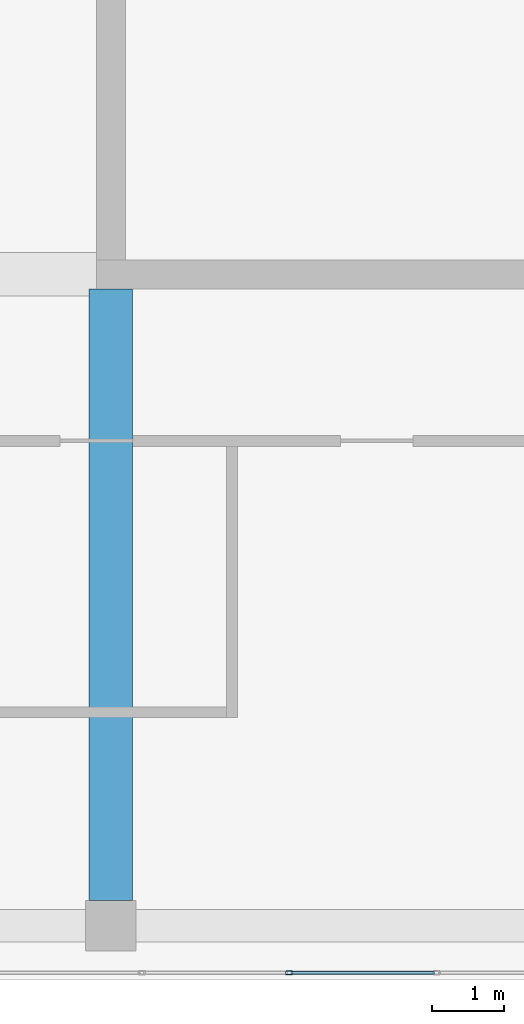
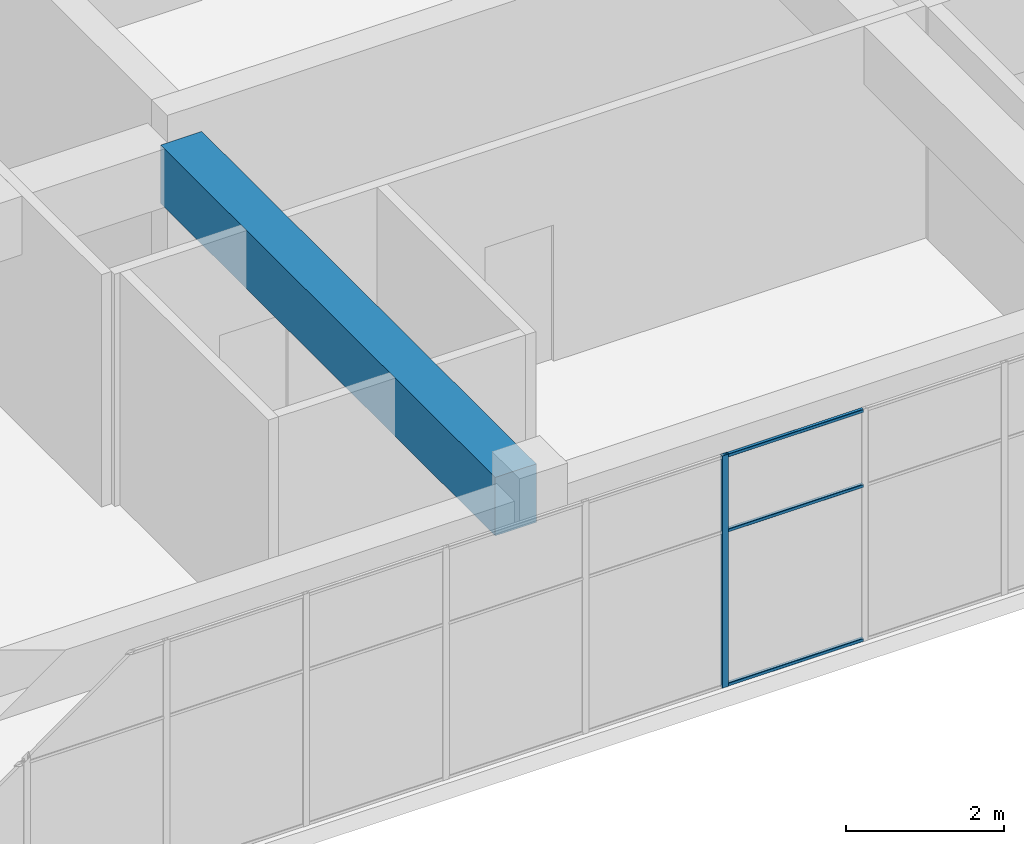
# One storey, part 5 of 32: 4 members, 1 beam, 1 element without a shape of its own.
"""IFC4 building model written with IfcOpenShell, lengths in metres."""

from ifc_helpers import new_model, si_unit, direction, frame, origin, origin_2d, place, context, subcontext, project, spatial, rectangle, hollow_rectangle, extrude, material, layer, layer_set, material_profile, profile_set, type_object, element, aggregate, save


model = new_model("IFC4")

# Units and contexts
model_context = context("Model", 3, precision=1e-05, world=origin(), true_north=direction((0.0, 1.0)))
body_context = subcontext(model_context, "Body", "Model", "MODEL_VIEW")
ifc_project = project(units=[si_unit("LENGTHUNIT", "METRE"), si_unit("AREAUNIT", "SQUARE_METRE"), si_unit("VOLUMEUNIT", "CUBIC_METRE"), si_unit("PLANEANGLEUNIT", "RADIAN"), si_unit("MASSUNIT", "GRAM", prefix="KILO")], contexts=[model_context])

# Site, building, storey
site_placement = place(None, origin())
site = spatial("IfcSite", under=ifc_project, at=site_placement, CompositionType="ELEMENT")
building_placement = place(site_placement, origin())
building = spatial("IfcBuilding", under=site, at=building_placement, Name="Tuart Plaza Theatre", CompositionType="ELEMENT")
storey_placement = place(building_placement, frame((0.0, 0.0, 37.5)))
storey = spatial("IfcBuildingStorey", under=building, at=storey_placement, Name="L09", CompositionType="ELEMENT", Elevation=37.5)

# Beam
ifc_material_1 = material(Name="Concrete N40 (40 MPa)", Category="concrete")
ifc_material_profile_1 = material_profile(ifc_material_1, rectangle(XDim=0.60009765625, YDim=0.89990234375, at=origin_2d()), Name="BEAM 600x900 Concrete N40 (40 MPa)")
ifc_profile_set_1 = profile_set([ifc_material_profile_1], Name="Concrete N40 (40 MPa)")
beam_type = type_object("IfcBeamType", Name="BEAM 600x900 Concrete N40 (40 MPa)", PredefinedType="BEAM", material=ifc_profile_set_1)
beam_placement = place(storey_placement, frame((123.0, 56.35009765625, 3.1298828125), z_axis=(0.0, 1.0, 0.0), x_axis=(-1.0, 0.0, 0.0)))
element("IfcBeam", 1, at=beam_placement, inside=storey, type_object=beam_type, Name="RB264", PredefinedType="BEAM", context=body_context, shape_type="SweptSolid", body=[
    extrude(rectangle(XDim=0.60009765625, YDim=0.89990234375, at=origin_2d()), origin(), (0.0, 0.0, 1.0), 8.449951171875),
])

# Curtain wall, members
ifc_material_2 = material(Name="Aluminium and glass", Category="aluminium")
ifc_layer = layer(ifc_material_2, 0.10009765625)
ifc_layer_set = layer_set([ifc_layer], Name="CURTAIN WALL 2000 module")
curtain_wall_type = type_object("IfcCurtainWallType", Name="CURTAIN WALL 2000 module", PredefinedType="NOTDEFINED", material=ifc_layer_set)
curtain_wall_placement = place(storey_placement, origin())
curtain_wall = element("IfcCurtainWall", 2, at=curtain_wall_placement, inside=storey, type_object=curtain_wall_type, Name="CW88", PredefinedType="NOTDEFINED")
ifc_material_3 = material(Name="Aluminium 6063-T5", Category="aluminium")
ifc_material_profile_2 = material_profile(ifc_material_3, hollow_rectangle(XDim=0.050048828125, YDim=0.10009765625, WallThickness=0.00390625, InnerFilletRadius=0.00390625, OuterFilletRadius=0.008056640625, at=origin_2d()), Name="RHS 100x50x4")
ifc_profile_set_2 = profile_set([ifc_material_profile_2], Name="Aluminium 6063-T5")
member_type_1 = type_object("IfcMemberType", Name="MULLION RHS 100x50x4", PredefinedType="MULLION", material=ifc_profile_set_2)
member_1_placement = place(storey_placement, frame((125.46435546875, 55.35009765625, 0.0), z_axis=(0.0, 0.0, 1.0), x_axis=(0.0, 1.0, 0.0)))
member_1 = element("IfcMember", 3, at=member_1_placement, type_object=member_type_1, Name="CW88 mullion 7", PredefinedType="MULLION", context=body_context, shape_type="SweptSolid", body=[
    extrude(hollow_rectangle(XDim=0.050048828125, YDim=0.10009765625, WallThickness=0.00390625, InnerFilletRadius=0.00390625, OuterFilletRadius=0.008056640625, at=origin_2d()), origin(), (0.0, 0.0, 1.0), 3.580078125),
])
ifc_material_4 = material(Name="Aluminium 6063-T5", Category="aluminium")
ifc_material_profile_3 = material_profile(ifc_material_4, hollow_rectangle(XDim=0.050048828125, YDim=0.050048828125, WallThickness=0.00390625, InnerFilletRadius=0.00390625, OuterFilletRadius=0.008056640625, at=origin_2d()), Name="RHS 50x50x4")
ifc_profile_set_3 = profile_set([ifc_material_profile_3], Name="Aluminium 6063-T5")
member_type_2 = type_object("IfcMemberType", Name="TRANSOM RHS 50x50x4", PredefinedType="USERDEFINED", material=ifc_profile_set_3)
member_2_placement = place(storey_placement, frame((125.4892578125, 55.35009765625, 0.02490234375), z_axis=(1.0, 0.0, 0.0), x_axis=(0.0, 1.0, 0.0)))
member_2 = element("IfcMember", 4, at=member_2_placement, type_object=member_type_2, Name="CW88 transom 7.1", ObjectType="TRANSOM", PredefinedType="USERDEFINED", context=body_context, shape_type="SweptSolid", body=[
    extrude(hollow_rectangle(XDim=0.050048828125, YDim=0.050048828125, WallThickness=0.00390625, InnerFilletRadius=0.00390625, OuterFilletRadius=0.008056640625, at=origin_2d()), origin(), (0.0, 0.0, 1.0), 1.98583984375),
])
member_3_placement = place(storey_placement, frame((125.4892578125, 55.35009765625, 2.39990234375), z_axis=(1.0, 0.0, 0.0), x_axis=(0.0, 1.0, 0.0)))
member_3 = element("IfcMember", 5, at=member_3_placement, type_object=member_type_2, Name="CW88 transom 7.2", ObjectType="TRANSOM", PredefinedType="USERDEFINED", context=body_context, shape_type="SweptSolid", body=[
    extrude(hollow_rectangle(XDim=0.050048828125, YDim=0.050048828125, WallThickness=0.00390625, InnerFilletRadius=0.00390625, OuterFilletRadius=0.008056640625, at=origin_2d()), origin(), (0.0, 0.0, 1.0), 1.98583984375),
])
member_4_placement = place(storey_placement, frame((125.4892578125, 55.35009765625, 3.554931640625), z_axis=(1.0, 0.0, 0.0), x_axis=(0.0, 1.0, 0.0)))
member_4 = element("IfcMember", 6, at=member_4_placement, type_object=member_type_2, Name="CW88 transom 7.3", ObjectType="TRANSOM", PredefinedType="USERDEFINED", context=body_context, shape_type="SweptSolid", body=[
    extrude(hollow_rectangle(XDim=0.050048828125, YDim=0.050048828125, WallThickness=0.00390625, InnerFilletRadius=0.00390625, OuterFilletRadius=0.008056640625, at=origin_2d()), origin(), (0.0, 0.0, 1.0), 1.98583984375),
])
aggregate(curtain_wall, [member_1, member_2, member_3, member_4])

save(model, "model.ifc")
